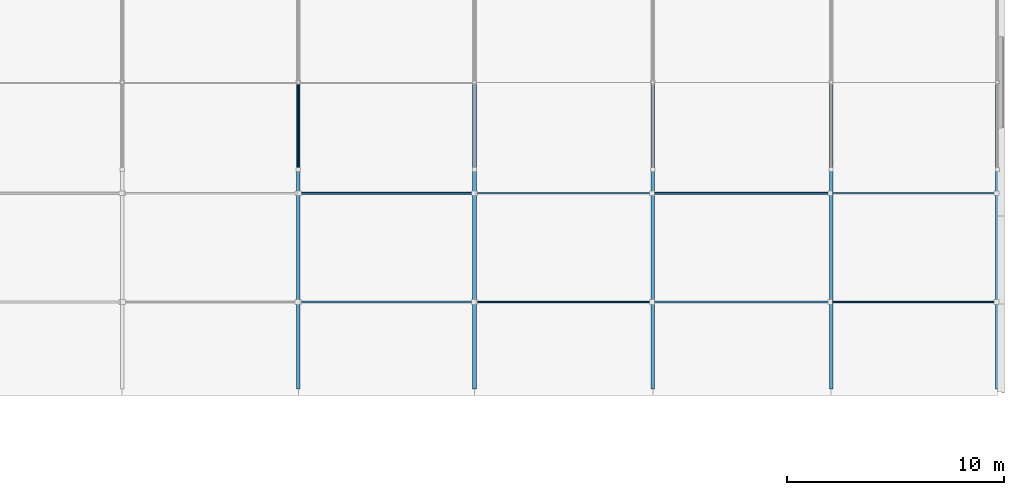
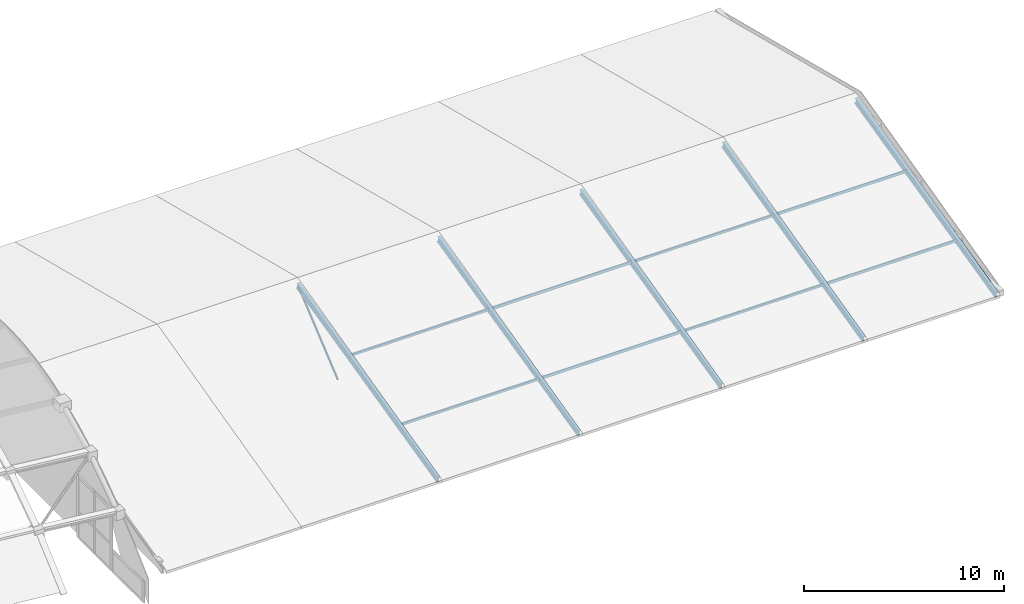
# One storey, part 36 of 65: 14 members.
"""IFC4 building model written with IfcOpenShell, lengths in metres."""

from ifc_helpers import new_model, si_unit, direction, frame, origin, origin_2d, place, context, subcontext, project, spatial, hollow_rectangle, hollow_circle, i_section, extrude, material, material_profile, profile_set, type_object, element, save


model = new_model("IFC4")

# Units and contexts
model_context = context("Model", 3, precision=1e-05, world=origin(), true_north=direction((0.0, 1.0)))
body_context = subcontext(model_context, "Body", "Model", "MODEL_VIEW")
ifc_project = project(units=[si_unit("LENGTHUNIT", "METRE"), si_unit("AREAUNIT", "SQUARE_METRE"), si_unit("VOLUMEUNIT", "CUBIC_METRE"), si_unit("PLANEANGLEUNIT", "RADIAN"), si_unit("MASSUNIT", "GRAM", prefix="KILO")], contexts=[model_context])

# Site, building, storey
site_placement = place(None, origin())
site = spatial("IfcSite", under=ifc_project, at=site_placement, CompositionType="ELEMENT")
building_placement = place(site_placement, origin())
building = spatial("IfcBuilding", under=site, at=building_placement, Name="Quillay Park Conservatory", CompositionType="ELEMENT")
storey_placement = place(building_placement, frame((0.0, 0.0, 14.10009765625)))
storey = spatial("IfcBuildingStorey", under=building, at=storey_placement, Name="L03", CompositionType="ELEMENT", Elevation=14.10009765625)

# Members
ifc_material_1 = material(Name="Steel S355J2H", Category="steel")
ifc_material_profile_1 = material_profile(ifc_material_1, hollow_circle(Radius=0.05712890625, WallThickness=0.00634765625, at=origin_2d()), Name="CHS114.3x6.3")
ifc_profile_set_1 = profile_set([ifc_material_profile_1], Name="Steel S355J2H")
member_type_1 = type_object("IfcMemberType", Name="CANOPY TIE STRUT CHS114", PredefinedType="STRUT", material=ifc_profile_set_1)
member_placement = place(storey_placement, frame((131.699951171875, 95.60009765625, -1.5), z_axis=(0.0, 0.766661786486, 0.642051170189), x_axis=(-1.0, 0.0, 0.0)))
element("IfcMember", 1, at=member_placement, inside=storey, type_object=member_type_1, Name="Gridshell member AUD-STR-D3", PredefinedType="STRUT", context=body_context, shape_type="SweptSolid", body=[
    extrude(hollow_circle(Radius=0.05712890625, WallThickness=0.00634765625, at=origin_2d()), origin(), (0.0, 0.0, 1.0), 5.217529296875),
])
ifc_material_2 = material(Name="Steel ASTM A992 Grade 50", Category="steel")
ifc_material_profile_2 = material_profile(ifc_material_2, i_section(OverallWidth=0.172119140625, OverallDepth=0.35791015625, WebThickness=0.0078125, FlangeThickness=0.01318359375, FilletRadius=0.010986328125, at=origin_2d()), Name="W360x57")
ifc_profile_set_2 = profile_set([ifc_material_profile_2], Name="Steel ASTM A992 Grade 50")
member_type_2 = type_object("IfcMemberType", Name="FOLDED ROOF RAFTER W360", PredefinedType="RAFTER", material=ifc_profile_set_2)
for number, where, z_axis, x_axis, name in (
    (2, (131.699951171875, 85.550048828125, -1.5), (0.0, 0.972734349518, 0.231922153465), (-1.0, 0.0, 0.0), "Gridshell member AUD-RAF-S3"),
    (3, (139.800048828125, 85.550048828125, -1.5), (0.0, 0.972734349518, 0.231922153465), (-1.0, 0.0, 0.0), "Gridshell member AUD-RAF-S4"),
    (4, (148.0, 85.550048828125, -1.5), (0.0, 0.972734349518, 0.231922153465), (-1.0, 0.0, 0.0), "Gridshell member AUD-RAF-S5"),
    (5, (156.199951171875, 85.550048828125, -1.5), (0.0, 0.972734349518, 0.231922153465), (-1.0, 0.0, 0.0), "Gridshell member AUD-RAF-S6"),
    (6, (163.85009765625, 85.550048828125, -1.5), (0.0, 0.972734349518, 0.231922153465), (-1.0, 0.0, 0.0), "Gridshell member AUD-RAF-S7"),
):
    element("IfcMember", number, at=place(storey_placement, frame(where, z_axis=z_axis, x_axis=x_axis)), inside=storey, type_object=member_type_2, Name=name, PredefinedType="RAFTER", context=body_context, shape_type="SweptSolid", body=[
        extrude(i_section(OverallWidth=0.172119140625, OverallDepth=0.35791015625, WebThickness=0.0078125, FlangeThickness=0.01318359375, FilletRadius=0.010986328125, at=origin_2d()), origin(), (0.0, 0.0, 1.0), 14.44384765625),
    ])
ifc_material_3 = material(Name="Steel S355J2H", Category="steel")
ifc_material_profile_3 = material_profile(ifc_material_3, hollow_rectangle(XDim=0.10009765625, YDim=0.14990234375, WallThickness=0.00634765625, InnerFilletRadius=0.00634765625, OuterFilletRadius=0.011962890625, at=origin_2d()), Name="RHS150x100x6.3")
ifc_profile_set_3 = profile_set([ifc_material_profile_3], Name="Steel S355J2H")
member_type_3 = type_object("IfcMemberType", Name="ROOF GLAZING PURLIN RHS150", PredefinedType="PURLIN", material=ifc_profile_set_3)
for number, where, z_axis, x_axis, name in (
    (7, (131.75, 89.5, -0.558349609375), (1.0, 0.0, 0.0), (0.0, 1.0, 0.0), "Gridshell member AUD-PUR-3-89"),
    (8, (131.75, 94.5, 0.6337890625), (1.0, 0.0, 0.0), (0.0, 1.0, 0.0), "Gridshell member AUD-PUR-3-94"),
):
    element("IfcMember", number, at=place(storey_placement, frame(where, z_axis=z_axis, x_axis=x_axis)), inside=storey, type_object=member_type_3, Name=name, PredefinedType="PURLIN", context=body_context, shape_type="SweptSolid", body=[
        extrude(hollow_rectangle(XDim=0.10009765625, YDim=0.14990234375, WallThickness=0.00634765625, InnerFilletRadius=0.00634765625, OuterFilletRadius=0.011962890625, at=origin_2d()), origin(), (0.0, 0.0, 1.0), 8.0),
    ])
for number, where, z_axis, x_axis, name in (
    (9, (148.050048828125, 89.5, -0.558349609375), (1.0, 0.0, 0.0), (0.0, 1.0, 0.0), "Gridshell member AUD-PUR-5-89"),
    (10, (148.050048828125, 94.5, 0.6337890625), (1.0, 0.0, 0.0), (0.0, 1.0, 0.0), "Gridshell member AUD-PUR-5-94"),
):
    element("IfcMember", number, at=place(storey_placement, frame(where, z_axis=z_axis, x_axis=x_axis)), inside=storey, type_object=member_type_3, Name=name, PredefinedType="PURLIN", context=body_context, shape_type="SweptSolid", body=[
        extrude(hollow_rectangle(XDim=0.10009765625, YDim=0.14990234375, WallThickness=0.00634765625, InnerFilletRadius=0.00634765625, OuterFilletRadius=0.011962890625, at=origin_2d()), origin(), (0.0, 0.0, 1.0), 8.099853515625),
    ])
ifc_material_4 = material(Name="Steel S355J2H", Category="steel")
ifc_material_profile_4 = material_profile(ifc_material_4, hollow_rectangle(XDim=0.070068359375, YDim=0.179931640625, WallThickness=0.00390625, InnerFilletRadius=0.00390625, OuterFilletRadius=0.008056640625, at=origin_2d()), Name="RHS180x70x4")
ifc_profile_set_4 = profile_set([ifc_material_profile_4], Name="Steel S355J2H")
member_type_4 = type_object("IfcMemberType", Name="ROOF GLAZING PURLIN RHS180 X70", PredefinedType="PURLIN", material=ifc_profile_set_4)
for number, where, z_axis, x_axis, name in (
    (11, (139.85009765625, 89.5, -0.558349609375), (1.0, 0.0, 0.0), (0.0, 1.0, 0.0), "Gridshell member AUD-PUR-4-89"),
    (12, (139.85009765625, 94.5, 0.6337890625), (1.0, 0.0, 0.0), (0.0, 1.0, 0.0), "Gridshell member AUD-PUR-4-94"),
):
    element("IfcMember", number, at=place(storey_placement, frame(where, z_axis=z_axis, x_axis=x_axis)), inside=storey, type_object=member_type_4, Name=name, PredefinedType="PURLIN", context=body_context, shape_type="SweptSolid", body=[
        extrude(hollow_rectangle(XDim=0.070068359375, YDim=0.179931640625, WallThickness=0.00390625, InnerFilletRadius=0.00390625, OuterFilletRadius=0.008056640625, at=origin_2d()), origin(), (0.0, 0.0, 1.0), 8.099853515625),
    ])
for number, where, z_axis, x_axis, name in (
    (13, (156.25, 89.5, -0.558349609375), (1.0, 0.0, 0.0), (0.0, 1.0, 0.0), "Gridshell member AUD-PUR-6-89"),
    (14, (156.25, 94.5, 0.6337890625), (1.0, 0.0, 0.0), (0.0, 1.0, 0.0), "Gridshell member AUD-PUR-6-94"),
):
    element("IfcMember", number, at=place(storey_placement, frame(where, z_axis=z_axis, x_axis=x_axis)), inside=storey, type_object=member_type_4, Name=name, PredefinedType="PURLIN", context=body_context, shape_type="SweptSolid", body=[
        extrude(hollow_rectangle(XDim=0.070068359375, YDim=0.179931640625, WallThickness=0.00390625, InnerFilletRadius=0.00390625, OuterFilletRadius=0.008056640625, at=origin_2d()), origin(), (0.0, 0.0, 1.0), 7.550048828125),
    ])

save(model, "model.ifc")
